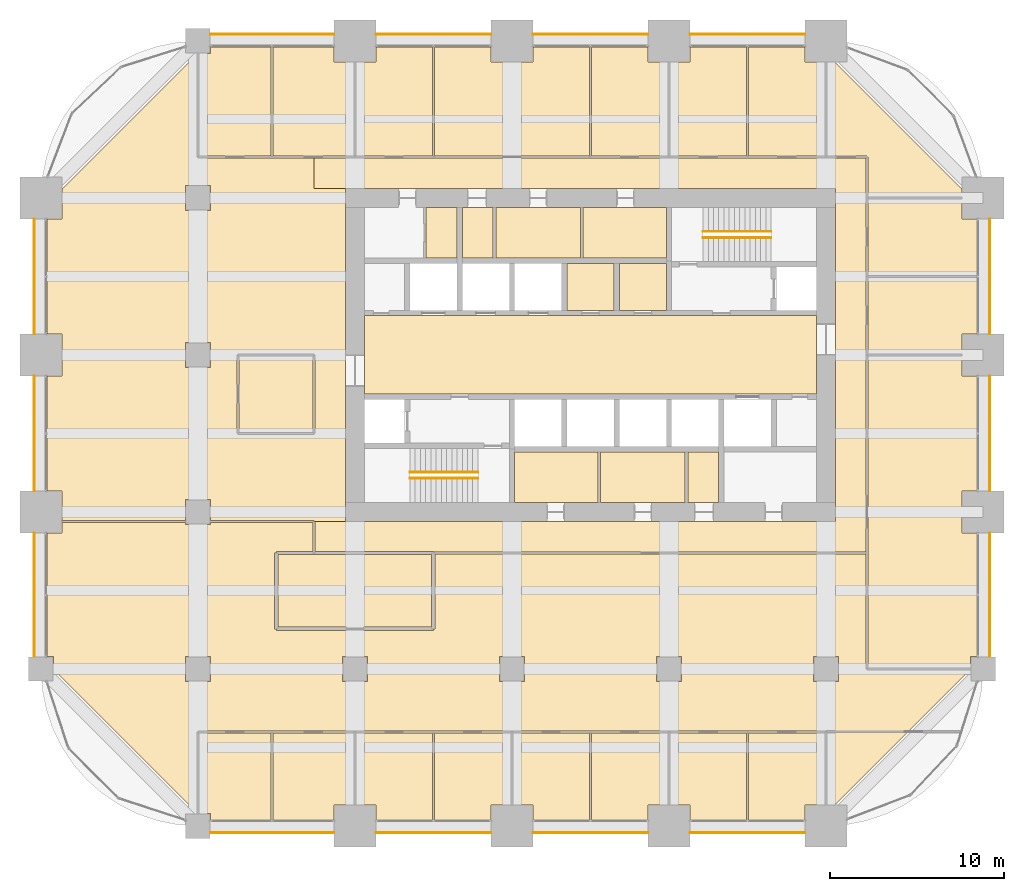
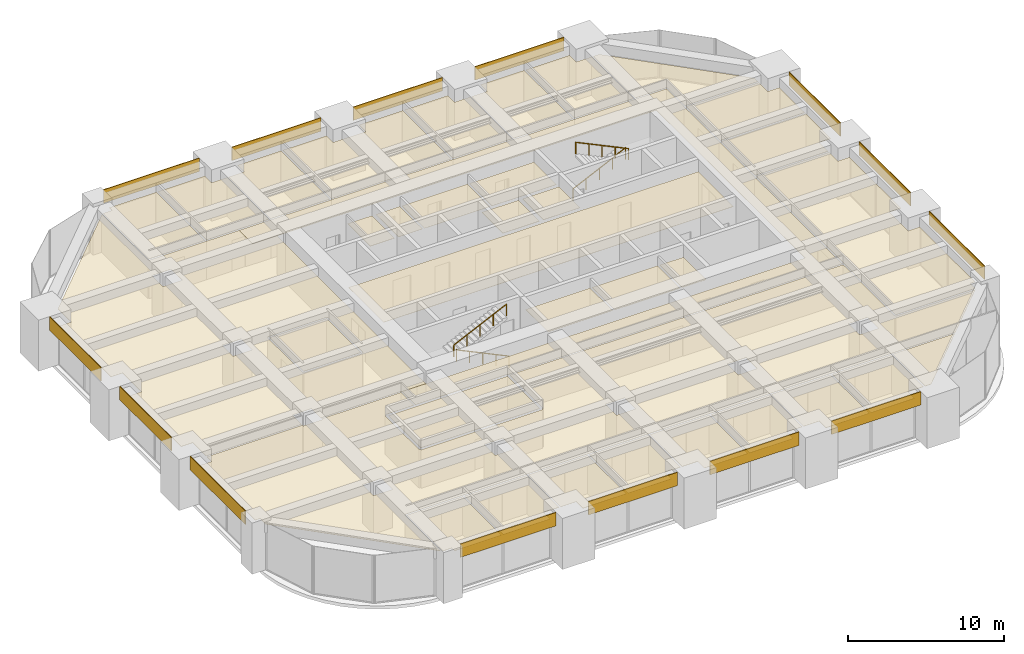
# One storey, part 33 of 33: 49 coverings, 4 railings.
"""IFC4 building model written with IfcOpenShell, lengths in metres."""

from ifc_helpers import new_model, si_unit, direction, frame, frame_2d, origin, origin_2d, place, context, subcontext, project, spatial, polyline, rectangle, circle, outline, extrude, material, layer, layer_set, type_object, element, save


model = new_model("IFC4")

# Units and contexts
model_context = context("Model", 3, precision=1e-05, world=origin(), true_north=direction((0.0, 1.0)))
body_context = subcontext(model_context, "Body", "Model", "MODEL_VIEW")
ifc_project = project(units=[si_unit("LENGTHUNIT", "METRE"), si_unit("AREAUNIT", "SQUARE_METRE"), si_unit("VOLUMEUNIT", "CUBIC_METRE"), si_unit("PLANEANGLEUNIT", "RADIAN"), si_unit("MASSUNIT", "GRAM", prefix="KILO")], contexts=[model_context])

# Site, building, storey
site_placement = place(None, origin())
site = spatial("IfcSite", under=ifc_project, at=site_placement, CompositionType="ELEMENT")
building_placement = place(site_placement, origin())
building = spatial("IfcBuilding", under=site, at=building_placement, Name="Zorevar Civic Tower", CompositionType="ELEMENT")
storey_placement = place(building_placement, frame((0.0, 0.0, 206.199951171875)))
storey = spatial("IfcBuildingStorey", under=building, at=storey_placement, Name="L50", CompositionType="ELEMENT", Elevation=206.199951171875)

# Railings
ifc_material_1 = material(Name="Black steel handrail", Category="steel")
railing_type = type_object("IfcRailingType", Name="Handrail HR1 900", PredefinedType="HANDRAIL", material=ifc_material_1)
railing_1_placement = place(storey_placement, frame((25.050048828125, 19.925048828125, 0.142822265625)))
element("IfcRailing", 1, at=railing_1_placement, inside=storey, type_object=railing_type, Name="Handrail HR1 ST1 L50", PredefinedType="HANDRAIL", context=body_context, shape_type="SweptSolid", body=[
    extrude(circle(Radius=0.02392578125, at=origin_2d()), frame((0.0, 0.0, 0.8759765625), z_axis=(-0.902863652845, 0.0, 0.429926998885), x_axis=(0.0, -1.0, 0.0)), (0.0, 0.0, 1.0), 4.31982421875),
    extrude(circle(Radius=0.02099609375, at=origin_2d()), origin(), (0.0, 0.0, 1.0), 0.851806640625),
    extrude(circle(Radius=0.02099609375, at=origin_2d()), frame((-0.97509765625, 0.0, 0.46435546875)), (0.0, 0.0, 1.0), 0.851806640625),
    extrude(circle(Radius=0.02099609375, at=origin_2d()), frame((-1.9501953125, 0.0, 0.9287109375)), (0.0, 0.0, 1.0), 0.851806640625),
    extrude(circle(Radius=0.02099609375, at=origin_2d()), frame((-2.925048828125, 0.0, 1.392822265625)), (0.0, 0.0, 1.0), 0.851806640625),
    extrude(circle(Radius=0.02099609375, at=origin_2d()), frame((-3.900146484375, 0.0, 1.857177734375)), (0.0, 0.0, 1.0), 0.851806640625),
])
for number, where, name in (
    (2, (21.14990234375, 20.27490234375, 2.142822265625), "Handrail HR1 ST1 L50"),
    (3, (37.949951171875, 34.074951171875, 0.142822265625), "Handrail HR1 ST2 L50"),
):
    element("IfcRailing", number, at=place(storey_placement, frame(where)), inside=storey, type_object=railing_type, Name=name, PredefinedType="HANDRAIL", context=body_context, shape_type="SweptSolid", body=[
        extrude(circle(Radius=0.02392578125, at=origin_2d()), frame((0.0, 0.0, 0.8759765625), z_axis=(0.902863652845, 0.0, 0.429926998885), x_axis=(0.0, 1.0, 0.0)), (0.0, 0.0, 1.0), 4.31982421875),
        extrude(circle(Radius=0.02099609375, at=origin_2d()), origin(), (0.0, 0.0, 1.0), 0.851806640625),
        extrude(circle(Radius=0.02099609375, at=origin_2d()), frame((0.97509765625, 0.0, 0.46435546875)), (0.0, 0.0, 1.0), 0.851806640625),
        extrude(circle(Radius=0.02099609375, at=origin_2d()), frame((1.9501953125, 0.0, 0.9287109375)), (0.0, 0.0, 1.0), 0.851806640625),
        extrude(circle(Radius=0.02099609375, at=origin_2d()), frame((2.925048828125, 0.0, 1.392822265625)), (0.0, 0.0, 1.0), 0.851806640625),
        extrude(circle(Radius=0.02099609375, at=origin_2d()), frame((3.900146484375, 0.0, 1.857177734375)), (0.0, 0.0, 1.0), 0.851806640625),
    ])
railing_2_placement = place(storey_placement, frame((41.85009765625, 33.72509765625, 2.142822265625)))
element("IfcRailing", 4, at=railing_2_placement, inside=storey, type_object=railing_type, Name="Handrail HR1 ST2 L50", PredefinedType="HANDRAIL", context=body_context, shape_type="SweptSolid", body=[
    extrude(circle(Radius=0.02392578125, at=origin_2d()), frame((0.0, 0.0, 0.8759765625), z_axis=(-0.902863652845, 0.0, 0.429926998885), x_axis=(0.0, -1.0, 0.0)), (0.0, 0.0, 1.0), 4.31982421875),
    extrude(circle(Radius=0.02099609375, at=origin_2d()), origin(), (0.0, 0.0, 1.0), 0.851806640625),
    extrude(circle(Radius=0.02099609375, at=origin_2d()), frame((-0.97509765625, 0.0, 0.46435546875)), (0.0, 0.0, 1.0), 0.851806640625),
    extrude(circle(Radius=0.02099609375, at=origin_2d()), frame((-1.9501953125, 0.0, 0.9287109375)), (0.0, 0.0, 1.0), 0.851806640625),
    extrude(circle(Radius=0.02099609375, at=origin_2d()), frame((-2.925048828125, 0.0, 1.392822265625)), (0.0, 0.0, 1.0), 0.851806640625),
    extrude(circle(Radius=0.02099609375, at=origin_2d()), frame((-3.900146484375, 0.0, 1.857177734375)), (0.0, 0.0, 1.0), 0.851806640625),
])

# Coverings
ifc_material_2 = material(Name="Moisture-resistant gypsum board")
ifc_layer_1 = layer(ifc_material_2, 0.012451171875)
ifc_layer_set_1 = layer_set([ifc_layer_1], Name="Moisture-resistant ceiling SC3")
covering_type_1 = type_object("IfcCoveringType", Name="Moisture-resistant ceiling SC3", PredefinedType="CEILING", material=ifc_layer_set_1)
covering_1_placement = place(storey_placement, frame((0.0, 0.0, 3.0)))
element("IfcCovering", 5, at=covering_1_placement, inside=storey, type_object=covering_type_1, Name="Ceiling L50-05", PredefinedType="CEILING", context=body_context, shape_type="SweptSolid", body=[
    extrude(outline(polyline([(31.925048828125, 18.550048828125), (31.925048828125, 21.449951171875), (27.14990234375, 21.449951171875), (27.14990234375, 18.550048828125), (31.925048828125, 18.550048828125)])), origin(), (0.0, 0.0, 1.0), 0.012451171875),
])
covering_2_placement = place(storey_placement, frame((0.0, 0.0, 3.0)))
element("IfcCovering", 6, at=covering_2_placement, inside=storey, type_object=covering_type_1, Name="Ceiling L50-06", PredefinedType="CEILING", context=body_context, shape_type="SweptSolid", body=[
    extrude(outline(polyline([(36.925048828125, 18.550048828125), (36.925048828125, 21.449951171875), (32.074951171875, 21.449951171875), (32.074951171875, 18.550048828125), (36.925048828125, 18.550048828125)])), origin(), (0.0, 0.0, 1.0), 0.012451171875),
])
covering_3_placement = place(storey_placement, frame((0.0, 0.0, 3.0)))
element("IfcCovering", 7, at=covering_3_placement, inside=storey, type_object=covering_type_1, Name="Ceiling L50-07", PredefinedType="CEILING", context=body_context, shape_type="SweptSolid", body=[
    extrude(outline(polyline([(38.85009765625, 18.550048828125), (38.85009765625, 21.449951171875), (37.074951171875, 21.449951171875), (37.074951171875, 18.550048828125), (38.85009765625, 18.550048828125)])), origin(), (0.0, 0.0, 1.0), 0.012451171875),
])
covering_4_placement = place(storey_placement, frame((0.0, 0.0, 3.0)))
element("IfcCovering", 8, at=covering_4_placement, inside=storey, type_object=covering_type_1, Name="Ceiling L50-08", PredefinedType="CEILING", context=body_context, shape_type="SweptSolid", body=[
    extrude(outline(polyline([(35.85009765625, 32.550048828125), (35.85009765625, 35.449951171875), (31.074951171875, 35.449951171875), (31.074951171875, 32.550048828125), (35.85009765625, 32.550048828125)])), origin(), (0.0, 0.0, 1.0), 0.012451171875),
])
covering_5_placement = place(storey_placement, frame((0.0, 0.0, 3.0)))
element("IfcCovering", 9, at=covering_5_placement, inside=storey, type_object=covering_type_1, Name="Ceiling L50-09", PredefinedType="CEILING", context=body_context, shape_type="SweptSolid", body=[
    extrude(outline(polyline([(30.925048828125, 32.550048828125), (30.925048828125, 35.449951171875), (26.074951171875, 35.449951171875), (26.074951171875, 32.550048828125), (30.925048828125, 32.550048828125)])), origin(), (0.0, 0.0, 1.0), 0.012451171875),
])
covering_6_placement = place(storey_placement, frame((0.0, 0.0, 3.0)))
element("IfcCovering", 10, at=covering_6_placement, inside=storey, type_object=covering_type_1, Name="Ceiling L50-10", PredefinedType="CEILING", context=body_context, shape_type="SweptSolid", body=[
    extrude(outline(polyline([(25.925048828125, 32.550048828125), (25.925048828125, 35.449951171875), (24.14990234375, 35.449951171875), (24.14990234375, 32.550048828125), (25.925048828125, 32.550048828125)])), origin(), (0.0, 0.0, 1.0), 0.012451171875),
])
ifc_material_3 = material(Name="Black anodised aluminium spandrel panel", Category="aluminium")
ifc_layer_2 = layer(ifc_material_3, 0.050048828125)
ifc_layer_set_2 = layer_set([ifc_layer_2], Name="Spandrel cladding SP1")
covering_type_2 = type_object("IfcCoveringType", Name="Spandrel cladding SP1", PredefinedType="CLADDING", material=ifc_layer_set_2)
covering_7_placement = place(storey_placement, frame((9.699951171875, -0.375, 2.949951171875), z_axis=(0.0, 0.0, 1.0), x_axis=(1.0, 0.0, 0.0)))
element("IfcCovering", 11, at=covering_7_placement, inside=storey, type_object=covering_type_2, Name="Spandrel cladding L51", PredefinedType="CLADDING", context=body_context, shape_type="SweptSolid", body=[
    extrude(rectangle(XDim=7.10009765625, YDim=0.050048828125, at=frame_2d((3.550048828125, 0.0))), origin(), (0.0, 0.0, 1.0), 1.050048828125),
])
for number, where, z_axis, x_axis, name in (
    (12, (19.199951171875, -0.375, 2.949951171875), (0.0, 0.0, 1.0), (1.0, 0.0, 0.0), "Spandrel cladding L51"),
    (13, (28.199951171875, -0.375, 2.949951171875), (0.0, 0.0, 1.0), (1.0, 0.0, 0.0), "Spandrel cladding L51"),
    (14, (37.199951171875, -0.375, 2.949951171875), (0.0, 0.0, 1.0), (1.0, 0.0, 0.0), "Spandrel cladding L51"),
):
    element("IfcCovering", number, at=place(storey_placement, frame(where, z_axis=z_axis, x_axis=x_axis)), inside=storey, type_object=covering_type_2, Name=name, PredefinedType="CLADDING", context=body_context, shape_type="SweptSolid", body=[
        extrude(rectangle(XDim=6.60009765625, YDim=0.050048828125, at=frame_2d((3.300048828125, 0.0))), origin(), (0.0, 0.0, 1.0), 1.050048828125),
    ])
covering_8_placement = place(storey_placement, frame((9.699951171875, 45.375, 2.949951171875), z_axis=(0.0, 0.0, 1.0), x_axis=(1.0, 0.0, 0.0)))
element("IfcCovering", 15, at=covering_8_placement, inside=storey, type_object=covering_type_2, Name="Spandrel cladding L51", PredefinedType="CLADDING", context=body_context, shape_type="SweptSolid", body=[
    extrude(rectangle(XDim=7.10009765625, YDim=0.050048828125, at=frame_2d((3.550048828125, 0.0))), origin(), (0.0, 0.0, 1.0), 1.050048828125),
])
for number, where, z_axis, x_axis, name in (
    (16, (19.199951171875, 45.375, 2.949951171875), (0.0, 0.0, 1.0), (1.0, 0.0, 0.0), "Spandrel cladding L51"),
    (17, (28.199951171875, 45.375, 2.949951171875), (0.0, 0.0, 1.0), (1.0, 0.0, 0.0), "Spandrel cladding L51"),
    (18, (37.199951171875, 45.375, 2.949951171875), (0.0, 0.0, 1.0), (1.0, 0.0, 0.0), "Spandrel cladding L51"),
):
    element("IfcCovering", number, at=place(storey_placement, frame(where, z_axis=z_axis, x_axis=x_axis)), inside=storey, type_object=covering_type_2, Name=name, PredefinedType="CLADDING", context=body_context, shape_type="SweptSolid", body=[
        extrude(rectangle(XDim=6.60009765625, YDim=0.050048828125, at=frame_2d((3.300048828125, 0.0))), origin(), (0.0, 0.0, 1.0), 1.050048828125),
    ])
covering_9_placement = place(storey_placement, frame((-0.375, 9.699951171875, 2.949951171875), z_axis=(0.0, 0.0, 1.0), x_axis=(0.0, 1.0, 0.0)))
element("IfcCovering", 19, at=covering_9_placement, inside=storey, type_object=covering_type_2, Name="Spandrel cladding L51", PredefinedType="CLADDING", context=body_context, shape_type="SweptSolid", body=[
    extrude(rectangle(XDim=7.10009765625, YDim=0.050048828125, at=frame_2d((3.550048828125, 0.0))), origin(), (0.0, 0.0, 1.0), 1.050048828125),
])
for number, where, z_axis, x_axis, name in (
    (20, (-0.375, 19.199951171875, 2.949951171875), (0.0, 0.0, 1.0), (0.0, 1.0, 0.0), "Spandrel cladding L51"),
    (21, (-0.375, 28.199951171875, 2.949951171875), (0.0, 0.0, 1.0), (0.0, 1.0, 0.0), "Spandrel cladding L51"),
):
    element("IfcCovering", number, at=place(storey_placement, frame(where, z_axis=z_axis, x_axis=x_axis)), inside=storey, type_object=covering_type_2, Name=name, PredefinedType="CLADDING", context=body_context, shape_type="SweptSolid", body=[
        extrude(rectangle(XDim=6.60009765625, YDim=0.050048828125, at=frame_2d((3.300048828125, 0.0))), origin(), (0.0, 0.0, 1.0), 1.050048828125),
    ])
covering_10_placement = place(storey_placement, frame((54.375, 9.699951171875, 2.949951171875), z_axis=(0.0, 0.0, 1.0), x_axis=(0.0, 1.0, 0.0)))
element("IfcCovering", 22, at=covering_10_placement, inside=storey, type_object=covering_type_2, Name="Spandrel cladding L51", PredefinedType="CLADDING", context=body_context, shape_type="SweptSolid", body=[
    extrude(rectangle(XDim=7.10009765625, YDim=0.050048828125, at=frame_2d((3.550048828125, 0.0))), origin(), (0.0, 0.0, 1.0), 1.050048828125),
])
for number, where, z_axis, x_axis, name in (
    (23, (54.375, 19.199951171875, 2.949951171875), (0.0, 0.0, 1.0), (0.0, 1.0, 0.0), "Spandrel cladding L51"),
    (24, (54.375, 28.199951171875, 2.949951171875), (0.0, 0.0, 1.0), (0.0, 1.0, 0.0), "Spandrel cladding L51"),
):
    element("IfcCovering", number, at=place(storey_placement, frame(where, z_axis=z_axis, x_axis=x_axis)), inside=storey, type_object=covering_type_2, Name=name, PredefinedType="CLADDING", context=body_context, shape_type="SweptSolid", body=[
        extrude(rectangle(XDim=6.60009765625, YDim=0.050048828125, at=frame_2d((3.300048828125, 0.0))), origin(), (0.0, 0.0, 1.0), 1.050048828125),
    ])
ifc_material_4 = material(Name="Mineral fibre tiles on a concealed grid")
ifc_layer_3 = layer(ifc_material_4, 0.02001953125)
ifc_layer_set_3 = layer_set([ifc_layer_3], Name="Suspended ceiling SC1")
covering_type_3 = type_object("IfcCoveringType", Name="Suspended ceiling SC1", PredefinedType="CEILING", material=ifc_layer_set_3)
covering_11_placement = place(storey_placement, frame((0.0, 0.0, 3.0)))
element("IfcCovering", 25, at=covering_11_placement, inside=storey, type_object=covering_type_3, Name="Ceiling L50-12", PredefinedType="CEILING", context=body_context, shape_type="SweptSolid", body=[
    extrude(outline(polyline([(23.85009765625, 32.550048828125), (23.85009765625, 35.449951171875), (22.06005859375, 35.449951171875), (22.06005859375, 32.550048828125), (23.85009765625, 32.550048828125)])), origin(), (0.0, 0.0, 1.0), 0.02001953125),
])
covering_12_placement = place(storey_placement, frame((0.0, 0.0, 3.0)))
element("IfcCovering", 26, at=covering_12_placement, inside=storey, type_object=covering_type_3, Name="Ceiling L50-16", PredefinedType="CEILING", context=body_context, shape_type="SweptSolid", body=[
    extrude(outline(polyline([(44.449951171875, 24.75), (44.449951171875, 29.25), (18.550048828125, 29.25), (18.550048828125, 24.75), (44.449951171875, 24.75)])), origin(), (0.0, 0.0, 1.0), 0.02001953125),
])
covering_13_placement = place(storey_placement, frame((0.0, 0.0, 3.0)))
element("IfcCovering", 27, at=covering_13_placement, inside=storey, type_object=covering_type_3, Name="Ceiling L50-17", PredefinedType="CEILING", context=body_context, shape_type="SweptSolid", body=[
    extrude(outline(polyline([(35.85009765625, 29.550048828125), (35.85009765625, 32.25), (33.14990234375, 32.25), (33.14990234375, 29.550048828125), (35.85009765625, 29.550048828125)])), origin(), (0.0, 0.0, 1.0), 0.02001953125),
])
covering_14_placement = place(storey_placement, frame((0.0, 0.0, 3.0)))
element("IfcCovering", 28, at=covering_14_placement, inside=storey, type_object=covering_type_3, Name="Ceiling L50-18", PredefinedType="CEILING", context=body_context, shape_type="SweptSolid", body=[
    extrude(outline(polyline([(32.85009765625, 29.550048828125), (32.85009765625, 32.25), (30.14990234375, 32.25), (30.14990234375, 29.550048828125), (32.85009765625, 29.550048828125)])), origin(), (0.0, 0.0, 1.0), 0.02001953125),
])
covering_15_placement = place(storey_placement, frame((0.0, 0.0, 3.0)))
element("IfcCovering", 29, at=covering_15_placement, inside=storey, type_object=covering_type_3, Name="Ceiling L50-19", PredefinedType="CEILING", context=body_context, shape_type="SweptSolid", body=[
    extrude(outline(polyline([(53.64990234375, 19.2099609375), (52.7900390625, 19.2099609375), (52.7900390625, 16.7900390625), (53.64990234375, 16.7900390625), (53.64990234375, 9.7099609375), (53.2900390625, 9.7099609375), (53.2900390625, 9.06005859375), (47.409912109375, 9.06005859375), (47.409912109375, 26.93994140625), (52.7900390625, 26.93994140625), (52.7900390625, 25.7900390625), (53.64990234375, 25.7900390625), (53.64990234375, 19.2099609375)])), origin(), (0.0, 0.0, 1.0), 0.02001953125),
])
covering_16_placement = place(storey_placement, frame((0.0, 0.0, 3.0)))
element("IfcCovering", 30, at=covering_16_placement, inside=storey, type_object=covering_type_3, Name="Ceiling L50-20", PredefinedType="CEILING", context=body_context, shape_type="SweptSolid", body=[
    extrude(outline(polyline([(47.409912109375, 31.43994140625), (53.64990234375, 31.43994140625), (53.64990234375, 28.2099609375), (52.7900390625, 28.2099609375), (52.7900390625, 27.06005859375), (47.409912109375, 27.06005859375), (47.409912109375, 31.43994140625)])), origin(), (0.0, 0.0, 1.0), 0.02001953125),
])
covering_17_placement = place(storey_placement, frame((0.0, 0.0, 3.0)))
element("IfcCovering", 31, at=covering_17_placement, inside=storey, type_object=covering_type_3, Name="Ceiling L50-21", PredefinedType="CEILING", context=body_context, shape_type="SweptSolid", body=[
    extrude(outline(polyline([(47.409912109375, 35.93994140625), (52.7900390625, 35.93994140625), (52.7900390625, 34.7900390625), (53.64990234375, 34.7900390625), (53.64990234375, 31.56005859375), (47.409912109375, 31.56005859375), (47.409912109375, 35.93994140625)])), origin(), (0.0, 0.0, 1.0), 0.02001953125),
])
covering_18_placement = place(storey_placement, frame((0.0, 0.0, 3.0)))
element("IfcCovering", 32, at=covering_18_placement, inside=storey, type_object=covering_type_3, Name="Ceiling L50-22", PredefinedType="CEILING", context=body_context, shape_type="SweptSolid", body=[
    extrude(outline(polyline([(13.18994140625, 5.340087890625), (13.18994140625, 0.35009765625), (9.7099609375, 0.35009765625), (9.7099609375, 0.7099609375), (9.06005859375, 0.7099609375), (9.06005859375, 5.340087890625), (13.18994140625, 5.340087890625)])), origin(), (0.0, 0.0, 1.0), 0.02001953125),
])
covering_19_placement = place(storey_placement, frame((0.0, 0.0, 3.0)))
element("IfcCovering", 33, at=covering_19_placement, inside=storey, type_object=covering_type_3, Name="Ceiling L50-23", PredefinedType="CEILING", context=body_context, shape_type="SweptSolid", body=[
    extrude(outline(polyline([(17.93994140625, 5.340087890625), (17.93994140625, 1.2099609375), (16.7900390625, 1.2099609375), (16.7900390625, 0.35009765625), (13.31005859375, 0.35009765625), (13.31005859375, 5.340087890625), (17.93994140625, 5.340087890625)])), origin(), (0.0, 0.0, 1.0), 0.02001953125),
])
covering_20_placement = place(storey_placement, frame((0.0, 0.0, 3.0)))
element("IfcCovering", 34, at=covering_20_placement, inside=storey, type_object=covering_type_3, Name="Ceiling L50-24", PredefinedType="CEILING", context=body_context, shape_type="SweptSolid", body=[
    extrude(outline(polyline([(22.43994140625, 5.340087890625), (22.43994140625, 0.35009765625), (19.2099609375, 0.35009765625), (19.2099609375, 1.2099609375), (18.06005859375, 1.2099609375), (18.06005859375, 5.340087890625), (22.43994140625, 5.340087890625)])), origin(), (0.0, 0.0, 1.0), 0.02001953125),
])
covering_21_placement = place(storey_placement, frame((0.0, 0.0, 3.0)))
element("IfcCovering", 35, at=covering_21_placement, inside=storey, type_object=covering_type_3, Name="Ceiling L50-25", PredefinedType="CEILING", context=body_context, shape_type="SweptSolid", body=[
    extrude(outline(polyline([(26.93994140625, 5.340087890625), (26.93994140625, 1.2099609375), (25.7900390625, 1.2099609375), (25.7900390625, 0.35009765625), (22.56005859375, 0.35009765625), (22.56005859375, 5.340087890625), (26.93994140625, 5.340087890625)])), origin(), (0.0, 0.0, 1.0), 0.02001953125),
])
covering_22_placement = place(storey_placement, frame((0.0, 0.0, 3.0)))
element("IfcCovering", 36, at=covering_22_placement, inside=storey, type_object=covering_type_3, Name="Ceiling L50-26", PredefinedType="CEILING", context=body_context, shape_type="SweptSolid", body=[
    extrude(outline(polyline([(31.43994140625, 5.340087890625), (31.43994140625, 0.35009765625), (28.2099609375, 0.35009765625), (28.2099609375, 1.2099609375), (27.06005859375, 1.2099609375), (27.06005859375, 5.340087890625), (31.43994140625, 5.340087890625)])), origin(), (0.0, 0.0, 1.0), 0.02001953125),
])
covering_23_placement = place(storey_placement, frame((0.0, 0.0, 3.0)))
element("IfcCovering", 37, at=covering_23_placement, inside=storey, type_object=covering_type_3, Name="Ceiling L50-27", PredefinedType="CEILING", context=body_context, shape_type="SweptSolid", body=[
    extrude(outline(polyline([(35.93994140625, 5.340087890625), (35.93994140625, 1.2099609375), (34.7900390625, 1.2099609375), (34.7900390625, 0.35009765625), (31.56005859375, 0.35009765625), (31.56005859375, 5.340087890625), (35.93994140625, 5.340087890625)])), origin(), (0.0, 0.0, 1.0), 0.02001953125),
])
covering_24_placement = place(storey_placement, frame((0.0, 0.0, 3.0)))
element("IfcCovering", 38, at=covering_24_placement, inside=storey, type_object=covering_type_3, Name="Ceiling L50-28", PredefinedType="CEILING", context=body_context, shape_type="SweptSolid", body=[
    extrude(outline(polyline([(40.43994140625, 5.340087890625), (40.43994140625, 0.35009765625), (37.2099609375, 0.35009765625), (37.2099609375, 1.2099609375), (36.06005859375, 1.2099609375), (36.06005859375, 5.340087890625), (40.43994140625, 5.340087890625)])), origin(), (0.0, 0.0, 1.0), 0.02001953125),
])
covering_25_placement = place(storey_placement, frame((0.0, 0.0, 3.0)))
element("IfcCovering", 39, at=covering_25_placement, inside=storey, type_object=covering_type_3, Name="Ceiling L50-29", PredefinedType="CEILING", context=body_context, shape_type="SweptSolid", body=[
    extrude(outline(polyline([(44.93994140625, 5.340087890625), (44.93994140625, 1.2099609375), (43.7900390625, 1.2099609375), (43.7900390625, 0.35009765625), (40.56005859375, 0.35009765625), (40.56005859375, 5.340087890625), (44.93994140625, 5.340087890625)])), origin(), (0.0, 0.0, 1.0), 0.02001953125),
])
covering_26_placement = place(storey_placement, frame((0.0, 0.0, 3.0)))
element("IfcCovering", 40, at=covering_26_placement, inside=storey, type_object=covering_type_3, Name="Ceiling L50-30", PredefinedType="CEILING", context=body_context, shape_type="SweptSolid", body=[
    extrude(outline(polyline([(9.06005859375, 38.409912109375), (9.06005859375, 44.2900390625), (9.7099609375, 44.2900390625), (9.7099609375, 44.64990234375), (13.18994140625, 44.64990234375), (13.18994140625, 38.409912109375), (9.06005859375, 38.409912109375)])), origin(), (0.0, 0.0, 1.0), 0.02001953125),
])
covering_27_placement = place(storey_placement, frame((0.0, 0.0, 3.0)))
element("IfcCovering", 41, at=covering_27_placement, inside=storey, type_object=covering_type_3, Name="Ceiling L50-31", PredefinedType="CEILING", context=body_context, shape_type="SweptSolid", body=[
    extrude(outline(polyline([(13.31005859375, 38.409912109375), (13.31005859375, 44.64990234375), (16.7900390625, 44.64990234375), (16.7900390625, 43.7900390625), (17.93994140625, 43.7900390625), (17.93994140625, 38.409912109375), (13.31005859375, 38.409912109375)])), origin(), (0.0, 0.0, 1.0), 0.02001953125),
])
covering_28_placement = place(storey_placement, frame((0.0, 0.0, 3.0)))
element("IfcCovering", 42, at=covering_28_placement, inside=storey, type_object=covering_type_3, Name="Ceiling L50-32", PredefinedType="CEILING", context=body_context, shape_type="SweptSolid", body=[
    extrude(outline(polyline([(18.06005859375, 38.409912109375), (18.06005859375, 43.7900390625), (19.2099609375, 43.7900390625), (19.2099609375, 44.64990234375), (22.43994140625, 44.64990234375), (22.43994140625, 38.409912109375), (18.06005859375, 38.409912109375)])), origin(), (0.0, 0.0, 1.0), 0.02001953125),
])
covering_29_placement = place(storey_placement, frame((0.0, 0.0, 3.0)))
element("IfcCovering", 43, at=covering_29_placement, inside=storey, type_object=covering_type_3, Name="Ceiling L50-33", PredefinedType="CEILING", context=body_context, shape_type="SweptSolid", body=[
    extrude(outline(polyline([(31.56005859375, 38.409912109375), (31.56005859375, 44.64990234375), (34.7900390625, 44.64990234375), (34.7900390625, 43.7900390625), (35.93994140625, 43.7900390625), (35.93994140625, 38.409912109375), (31.56005859375, 38.409912109375)])), origin(), (0.0, 0.0, 1.0), 0.02001953125),
])
covering_30_placement = place(storey_placement, frame((0.0, 0.0, 3.0)))
element("IfcCovering", 44, at=covering_30_placement, inside=storey, type_object=covering_type_3, Name="Ceiling L50-34", PredefinedType="CEILING", context=body_context, shape_type="SweptSolid", body=[
    extrude(outline(polyline([(36.06005859375, 38.409912109375), (36.06005859375, 43.7900390625), (37.2099609375, 43.7900390625), (37.2099609375, 44.64990234375), (40.43994140625, 44.64990234375), (40.43994140625, 38.409912109375), (36.06005859375, 38.409912109375)])), origin(), (0.0, 0.0, 1.0), 0.02001953125),
])
covering_31_placement = place(storey_placement, frame((0.0, 0.0, 3.0)))
element("IfcCovering", 45, at=covering_31_placement, inside=storey, type_object=covering_type_3, Name="Ceiling L50-35", PredefinedType="CEILING", context=body_context, shape_type="SweptSolid", body=[
    extrude(outline(polyline([(40.56005859375, 38.409912109375), (40.56005859375, 44.64990234375), (43.7900390625, 44.64990234375), (43.7900390625, 43.7900390625), (44.93994140625, 43.7900390625), (44.93994140625, 38.409912109375), (40.56005859375, 38.409912109375)])), origin(), (0.0, 0.0, 1.0), 0.02001953125),
])
covering_32_placement = place(storey_placement, frame((0.0, 0.0, 3.0)))
element("IfcCovering", 46, at=covering_32_placement, inside=storey, type_object=covering_type_3, Name="Ceiling L50-36", PredefinedType="CEILING", context=body_context, shape_type="SweptSolid", body=[
    extrude(outline(polyline([(22.39990234375, 15.550048828125), (22.39990234375, 11.39990234375), (13.60009765625, 11.39990234375), (13.60009765625, 15.550048828125), (22.39990234375, 15.550048828125)])), origin(), (0.0, 0.0, 1.0), 0.02001953125),
])
covering_33_placement = place(storey_placement, frame((0.0, 0.0, 3.0)))
element("IfcCovering", 47, at=covering_33_placement, inside=storey, type_object=covering_type_3, Name="Ceiling L50-37", PredefinedType="CEILING", context=body_context, shape_type="SweptSolid", body=[
    extrude(outline(polyline([(11.360107421875, 26.93994140625), (15.590087890625, 26.93994140625), (15.590087890625, 22.56005859375), (11.360107421875, 22.56005859375), (11.360107421875, 26.93994140625)])), origin(), (0.0, 0.0, 1.0), 0.02001953125),
])
covering_34_placement = place(storey_placement, frame((0.0, 0.0, 3.0)))
element("IfcCovering", 48, at=covering_34_placement, inside=storey, type_object=covering_type_3, Name="Ceiling L50-38", PredefinedType="CEILING", context=body_context, shape_type="SweptSolid", body=[
    extrude(outline(polyline([(45.06005859375, 1.2099609375), (45.06005859375, 5.35009765625), (49.642822265625, 5.35009765625), (45.5029296875, 1.2099609375), (45.06005859375, 1.2099609375)])), origin(), (0.0, 0.0, 1.0), 0.02001953125),
])
covering_35_placement = place(storey_placement, frame((0.0, 0.0, 3.0)))
element("IfcCovering", 49, at=covering_35_placement, inside=storey, type_object=covering_type_3, Name="Ceiling L50-39", PredefinedType="CEILING", context=body_context, shape_type="SweptSolid", body=[
    extrude(outline(polyline([(15.64990234375, 38.2900390625), (22.5, 38.2900390625), (22.5, 38.300048828125), (31.5, 38.300048828125), (31.5, 38.2900390625), (45.0, 38.2900390625), (45.0, 38.300048828125), (47.300048828125, 38.300048828125), (47.300048828125, 36.0), (47.2900390625, 36.0), (47.2900390625, 15.699951171875), (22.5, 15.699951171875), (22.5, 15.75), (15.699951171875, 15.75), (15.699951171875, 17.449951171875), (45.550048828125, 17.449951171875), (45.550048828125, 36.550048828125), (15.64990234375, 36.550048828125), (15.64990234375, 38.2900390625)])), origin(), (0.0, 0.0, 1.0), 0.02001953125),
])
covering_36_placement = place(storey_placement, frame((0.0, 0.0, 3.0)))
element("IfcCovering", 50, at=covering_36_placement, inside=storey, type_object=covering_type_3, Name="Ceiling L50-40", PredefinedType="CEILING", context=body_context, shape_type="SweptSolid", body=[
    extrude(outline(polyline([(22.56005859375, 44.64990234375), (25.7900390625, 44.64990234375), (25.7900390625, 43.7900390625), (28.2099609375, 43.7900390625), (28.2099609375, 44.64990234375), (31.43994140625, 44.64990234375), (31.43994140625, 38.39990234375), (22.56005859375, 38.39990234375), (22.56005859375, 44.64990234375)])), origin(), (0.0, 0.0, 1.0), 0.02001953125),
])
covering_37_placement = place(storey_placement, frame((0.0, 0.0, 3.0)))
element("IfcCovering", 51, at=covering_37_placement, inside=storey, type_object=covering_type_3, Name="Ceiling L50-41", PredefinedType="CEILING", context=body_context, shape_type="SweptSolid", body=[
    extrude(outline(polyline([(47.3505859375, 38.40087890625), (45.06103515625, 38.40087890625), (45.06103515625, 43.7900390625), (45.5029296875, 43.7900390625), (52.7900390625, 36.5029296875), (52.7900390625, 36.06005859375), (47.39990234375, 36.06005859375), (47.40087890625, 38.35009765625), (47.35107421875, 38.35107421875), (47.3505859375, 38.40087890625)])), origin(), (0.0, 0.0, 1.0), 0.02001953125),
])
covering_38_placement = place(storey_placement, frame((0.0, 0.0, 3.0)))
element("IfcCovering", 52, at=covering_38_placement, inside=storey, type_object=covering_type_3, Name="Ceiling L50-42", PredefinedType="CEILING", context=body_context, shape_type="SweptSolid", body=[
    extrude(outline(polyline([(47.34912109375, 8.9990234375), (47.35009765625, 8.93896484375), (53.23193359375, 8.93896484375), (49.743896484375, 5.450927734375), (45.0009765625, 5.450927734375), (45.0, 5.4609375), (9.0009765625, 5.4599609375), (9.0, 5.39990234375), (8.93994140625, 5.39892578125), (8.93994140625, 0.76708984375), (0.7099609375, 8.9970703125), (0.7099609375, 9.7099609375), (0.35009765625, 9.7099609375), (0.35009765625, 16.7900390625), (1.2099609375, 16.7900390625), (1.2099609375, 17.39990234375), (8.2900390625, 17.39990234375), (8.2900390625, 17.2900390625), (9.7099609375, 17.2900390625), (9.7099609375, 17.39990234375), (15.60009765625, 17.39990234375), (15.60009765625, 15.75), (13.500732421875, 15.75), (13.5, 15.64990234375), (13.39990234375, 15.64892578125), (13.39990234375, 11.301025390625), (13.5, 11.300048828125), (13.5009765625, 11.199951171875), (22.49951171875, 11.2001953125), (22.5, 11.300048828125), (22.60009765625, 11.301025390625), (22.60009765625, 15.60009765625), (47.2890625, 15.59912109375), (47.2890625, 8.99951171875), (47.34912109375, 8.9990234375)]), holes=[polyline([(9.7099609375, 9.7099609375), (8.2900390625, 9.7099609375), (8.2900390625, 8.2900390625), (9.7099609375, 8.2900390625), (9.7099609375, 9.7099609375)]), polyline([(17.2900390625, 8.2900390625), (18.7099609375, 8.2900390625), (18.7099609375, 9.7099609375), (17.2900390625, 9.7099609375), (17.2900390625, 8.2900390625)]), polyline([(26.2900390625, 9.7099609375), (26.2900390625, 8.2900390625), (27.7099609375, 8.2900390625), (27.7099609375, 9.7099609375), (26.2900390625, 9.7099609375)]), polyline([(36.7099609375, 9.7099609375), (35.2900390625, 9.7099609375), (35.2900390625, 8.2900390625), (36.7099609375, 8.2900390625), (36.7099609375, 9.7099609375)]), polyline([(45.7099609375, 8.2900390625), (45.7099609375, 9.7099609375), (44.2900390625, 9.7099609375), (44.2900390625, 8.2900390625), (45.7099609375, 8.2900390625)])]), origin(), (0.0, 0.0, 1.0), 0.02001953125),
])
covering_39_placement = place(storey_placement, frame((0.0, 0.0, 3.0)))
element("IfcCovering", 53, at=covering_39_placement, inside=storey, type_object=covering_type_3, Name="Ceiling L50-43", PredefinedType="CEILING", context=body_context, shape_type="SweptSolid", body=[
    extrude(outline(polyline([(8.93994140625, 38.35107421875), (9.0, 38.35009765625), (9.000244140625, 38.290283203125), (15.64990234375, 38.2900390625), (15.650390625, 36.54931640625), (17.448974609375, 36.549072265625), (17.448974609375, 17.450927734375), (15.65087890625, 17.450927734375), (15.64990234375, 17.5009765625), (9.7099609375, 17.5009765625), (9.7099609375, 18.7099609375), (8.2900390625, 18.7099609375), (8.2900390625, 17.5009765625), (1.2099609375, 17.5009765625), (1.2099609375, 19.2099609375), (0.35107421875, 19.2099609375), (0.35107421875, 25.7900390625), (1.2099609375, 25.7900390625), (1.2099609375, 28.2099609375), (0.35107421875, 28.2099609375), (0.35107421875, 34.7900390625), (1.2099609375, 34.7900390625), (1.2099609375, 36.5029296875), (8.93994140625, 44.23291015625), (8.93994140625, 38.35107421875)]), holes=[polyline([(15.650634765625, 27.060791015625), (11.300048828125, 27.06103515625), (11.299072265625, 27.0009765625), (11.2392578125, 27.000732421875), (11.2392578125, 22.499267578125), (11.299072265625, 22.4990234375), (11.300048828125, 22.43896484375), (15.64990234375, 22.43896484375), (15.65087890625, 22.4990234375), (15.710693359375, 22.499267578125), (15.7109375, 27.0), (15.65087890625, 27.0009765625), (15.650634765625, 27.060791015625)]), polyline([(9.7099609375, 26.2900390625), (9.7099609375, 27.7099609375), (8.2900390625, 27.7099609375), (8.2900390625, 26.2900390625), (9.7099609375, 26.2900390625)]), polyline([(8.2900390625, 35.2900390625), (9.7099609375, 35.2900390625), (9.7099609375, 36.7099609375), (8.2900390625, 36.7099609375), (8.2900390625, 35.2900390625)])]), origin(), (0.0, 0.0, 1.0), 0.02001953125),
])

save(model, "model.ifc")
